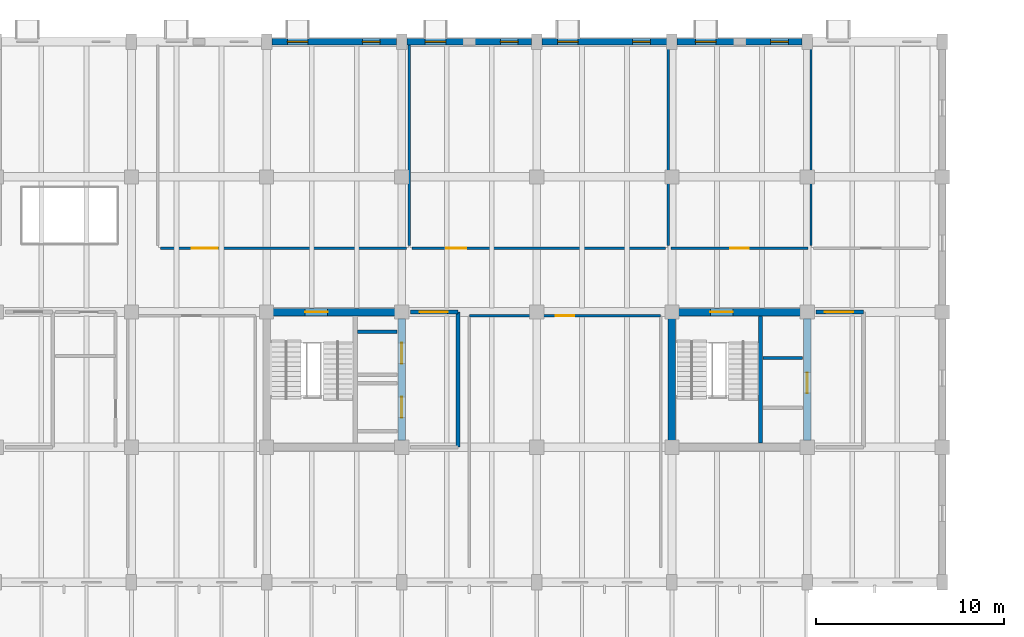
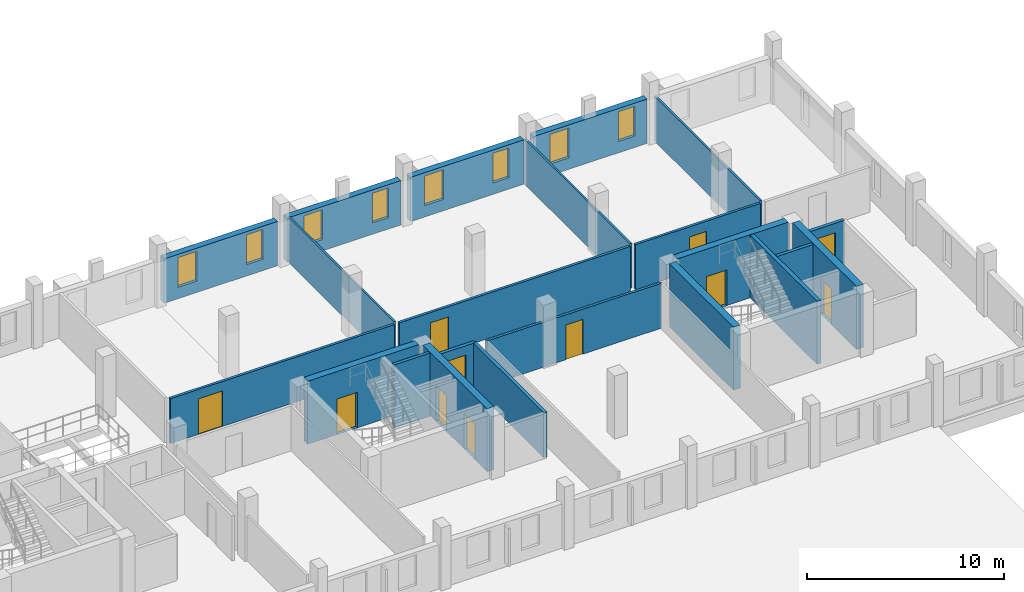
# One storey, part 28 of 32: 22 walls, 11 doors, 8 windows, 19 openings.
"""IFC4 building model written with IfcOpenShell, lengths in metres."""

import ifcopenshell
import ifcopenshell.guid

model = None  # the IFC model being written
_history = None  # IfcOwnerHistory: only IFC2X3 demands one
_inside = {}  # id of a spatial element -> (the spatial element, [elements in it])
_under = {}  # id of a project, library or spatial element -> (it, [spatial elements below it])
_declared = {}  # id of a project -> (the project, [libraries it declares])
_typed = {}  # id of a type object -> (the type object, [elements of that type])
_made_of = {}  # id of a material, layer set ... -> (it, [elements and type objects made of it])


def new_model(schema):
    """Start an empty IFC model of exactly this schema.

    Asked for "IFC4X3", IfcOpenShell would pick the latest addendum, in which some entities
    have other attributes; the version numbers below select the first issue.
    IFC2X3 requires an IfcOwnerHistory on every rooted entity: one is made here for all.
    """
    global model, _history
    if schema == "IFC4X3":
        model = ifcopenshell.file(schema_version=(4, 3, 0, 0))
    else:
        model = ifcopenshell.file(schema=schema)
    _inside.clear()
    _under.clear()
    _declared.clear()
    _typed.clear()
    _made_of.clear()
    _history = None
    if model.schema == "IFC2X3":
        org = make("IfcOrganization", Name="unknown")
        user = make(
            "IfcPersonAndOrganization",
            ThePerson=make("IfcPerson", FamilyName="unknown"),
            TheOrganization=org,
        )
        app = make(
            "IfcApplication",
            ApplicationDeveloper=org,
            Version="unknown",
            ApplicationFullName="unknown",
            ApplicationIdentifier="unknown",
        )
        _history = make(
            "IfcOwnerHistory",
            OwningUser=user,
            OwningApplication=app,
            ChangeAction="ADDED",
            CreationDate=0,
        )
    return model


def make(cls, **values):
    """One entity of the class cls with the attributes given. An attribute that is None is left unset."""
    return model.create_entity(
        cls, **{name: value for name, value in values.items() if value is not None}
    )


def rooted(cls, **values):
    """An entity with a GlobalId (a new one), such as an element, a storey or a relation."""
    return make(cls, GlobalId=ifcopenshell.guid.new(), OwnerHistory=_history, **values)


def si_unit(unit_type, name, prefix=None):
    """IfcSIUnit, for example si_unit("LENGTHUNIT", "METRE", prefix="MILLI")."""
    return make("IfcSIUnit", UnitType=unit_type, Prefix=prefix, Name=name)


def assignment(units):
    """IfcUnitAssignment: the units of a project."""
    return None if units is None else make("IfcUnitAssignment", Units=units)


def point(xyz):
    """IfcCartesianPoint."""
    return None if xyz is None else make("IfcCartesianPoint", Coordinates=xyz)


def direction(xyz):
    """IfcDirection."""
    return None if xyz is None else make("IfcDirection", DirectionRatios=xyz)


def frame(location, z_axis=None, x_axis=None):
    """IfcAxis2Placement3D, a coordinate frame: its origin and axes. An axis left out is left unset."""
    return make(
        "IfcAxis2Placement3D",
        Location=point(location),
        Axis=direction(z_axis),
        RefDirection=direction(x_axis),
    )


def frame_2d(location, x_axis=None):
    """IfcAxis2Placement2D, a coordinate frame in the plane: its origin and x axis."""
    return make(
        "IfcAxis2Placement2D", Location=point(location), RefDirection=direction(x_axis)
    )


def origin():
    """The frame at (0, 0, 0) with its axes left unset."""
    return frame((0.0, 0.0, 0.0))


def place(relative_to, where):
    """IfcLocalPlacement: puts the frame where relative to a parent placement (None: the world)."""
    return make(
        "IfcLocalPlacement", PlacementRelTo=relative_to, RelativePlacement=where
    )


def context(
    kind, dimensions, precision=None, world=None, true_north=None, identifier=None
):
    """IfcGeometricRepresentationContext, for example the 3D "Model" context."""
    return make(
        "IfcGeometricRepresentationContext",
        ContextIdentifier=identifier,
        ContextType=kind,
        CoordinateSpaceDimension=dimensions,
        Precision=precision,
        WorldCoordinateSystem=world,
        TrueNorth=true_north,
    )


def subcontext(parent, identifier, kind, view, scale=None):
    """IfcGeometricRepresentationSubContext, for example "Body" below "Model"."""
    return make(
        "IfcGeometricRepresentationSubContext",
        ContextIdentifier=identifier,
        ContextType=kind,
        ParentContext=parent,
        TargetScale=scale,
        TargetView=view,
    )


def project(units=None, contexts=None):
    """IfcProject with its units and contexts."""
    return rooted(
        "IfcProject",
        Name="project",
        RepresentationContexts=contexts,
        UnitsInContext=assignment(units),
    )


def spatial(cls, under=None, at=None, **own):
    """A site, building, storey or space (cls), placed at a placement, below another one or the project."""
    s = rooted(cls, ObjectPlacement=at, **own)
    if under is not None:
        _under.setdefault(under.id(), (under, []))[1].append(s)
    return s


def profile(cls, at=None, kind="AREA", **sizes):
    """A parametric profile (cls). Its sizes go by their IFC names, for example OverallWidth=200.0."""
    return make(cls, ProfileType=kind, Position=at, **sizes)


def rectangle(**sizes):
    """IfcRectangleProfileDef."""
    return profile("IfcRectangleProfileDef", **sizes)


def extrude(swept, where, along, depth):
    """IfcExtrudedAreaSolid: the profile swept, set in the frame where, extruded along a direction by depth."""
    return make(
        "IfcExtrudedAreaSolid",
        SweptArea=swept,
        Position=where,
        ExtrudedDirection=direction(along),
        Depth=depth,
    )


def shape(context_of_items, identifier, shape_type, items):
    """IfcShapeRepresentation: the items that make up one representation, for example the "Body"."""
    return make(
        "IfcShapeRepresentation",
        ContextOfItems=context_of_items,
        RepresentationIdentifier=identifier,
        RepresentationType=shape_type,
        Items=items,
    )


def material(Name=None, Category=None):
    """IfcMaterial."""
    return make("IfcMaterial", Name=Name, Category=Category)


def layer(
    of_material, thickness, ventilated=None, Name=None, Category=None, Priority=None
):
    """IfcMaterialLayer: one layer of a wall or slab, of a material (None: an air gap)."""
    return make(
        "IfcMaterialLayer",
        Material=of_material,
        LayerThickness=thickness,
        IsVentilated=ventilated,
        Name=Name,
        Category=Category,
        Priority=Priority,
    )


def layer_set(layers, Name=None):
    """IfcMaterialLayerSet."""
    return make("IfcMaterialLayerSet", MaterialLayers=layers, LayerSetName=Name)


def made_of(thing, what):
    """Note that an element or type object is made of a material, layer set ...; save() writes the relation."""
    if what is not None:
        _made_of.setdefault(what.id(), (what, []))[1].append(thing)
    return thing


def type_object(cls, material=None, **own):
    """A type object (cls), such as IfcWallType, which elements share."""
    return made_of(rooted(cls, **own), material)


def element(
    cls,
    number,
    at=None,
    inside=None,
    cuts=None,
    type_object=None,
    material=None,
    context=None,
    identifier="Body",
    shape_type=None,
    held_by="IfcProductDefinitionShape",
    body=None,
    shapes=None,
    **own,
):
    """One element of the class cls, such as IfcWall. Its Tag is "e" and its number.

    at: its placement. inside: the storey or other place that contains it. cuts: it is an
    opening in that element (IfcRelVoidsElement). A single representation is given by context,
    identifier, shape_type and body (its items); several are given by shapes. held_by: the class
    of the entity that holds the representations. save() writes the other relations.
    """
    e = rooted(cls, Tag="e%d" % number, ObjectPlacement=at, **own)
    if body is not None:
        shapes = [shape(context, identifier, shape_type, body)]
    if shapes is not None:
        e.Representation = make(held_by, Representations=shapes)
    if inside is not None:
        _inside.setdefault(inside.id(), (inside, []))[1].append(e)
    if cuts is not None:
        rooted(
            "IfcRelVoidsElement", RelatingBuildingElement=cuts, RelatedOpeningElement=e
        )
    if type_object is not None:
        _typed.setdefault(type_object.id(), (type_object, []))[1].append(e)
    return made_of(e, material)


def fill(opening, filler):
    """IfcRelFillsElement: the door or window that sits in an opening."""
    return rooted(
        "IfcRelFillsElement",
        RelatingOpeningElement=opening,
        RelatedBuildingElement=filler,
    )


def aggregate(whole, parts):
    """IfcRelAggregates: a whole, such as a stair, and the parts it consists of."""
    return rooted("IfcRelAggregates", RelatingObject=whole, RelatedObjects=parts)


def save(model, path):
    """Write the relations noted so far, then the file.

    IfcRelAggregates (storeys below a building ...), IfcRelContainedInSpatialStructure (elements
    in a storey), IfcRelDefinesByType, IfcRelAssociatesMaterial and IfcRelDeclares: one each for
    every whole, place, type object, material and project.
    """
    for whole, parts in _under.values():
        aggregate(whole, parts)
    for where, things in _inside.values():
        rooted(
            "IfcRelContainedInSpatialStructure",
            RelatedElements=things,
            RelatingStructure=where,
        )
    for kind, things in _typed.values():
        rooted("IfcRelDefinesByType", RelatedObjects=things, RelatingType=kind)
    for what, things in _made_of.values():
        rooted("IfcRelAssociatesMaterial", RelatedObjects=things, RelatingMaterial=what)
    for by, libraries in _declared.values():
        rooted("IfcRelDeclares", RelatingContext=by, RelatedDefinitions=libraries)
    model.write(path)


model = new_model("IFC4")

# Units and contexts
model_context = context("Model", 3, precision=1e-05, world=origin(), true_north=direction((0.0, 1.0)))
body_context = subcontext(model_context, "Body", "Model", "MODEL_VIEW")
ifc_project = project(units=[si_unit("LENGTHUNIT", "METRE"), si_unit("AREAUNIT", "SQUARE_METRE"), si_unit("VOLUMEUNIT", "CUBIC_METRE"), si_unit("PLANEANGLEUNIT", "RADIAN"), si_unit("MASSUNIT", "GRAM", prefix="KILO")], contexts=[model_context])

# Site, building, storey
site_placement = place(None, origin())
site = spatial("IfcSite", under=ifc_project, at=site_placement, CompositionType="ELEMENT")
building_placement = place(site_placement, origin())
building = spatial("IfcBuilding", under=site, at=building_placement, Name="Qiaolan Assembly House", CompositionType="ELEMENT")
storey_placement = place(building_placement, frame((0.0, 0.0, 18.60009765625)))
storey = spatial("IfcBuildingStorey", under=building, at=storey_placement, Name="L04", CompositionType="ELEMENT", Elevation=18.60009765625)

# Wall, openings, doors
ifc_material_1 = material(Name="Concrete C45/55", Category="concrete")
ifc_layer_1 = layer(ifc_material_1, 0.39990234375)
ifc_layer_set_1 = layer_set([ifc_layer_1], Name="Concrete C45/55")
wall_type_1 = type_object("IfcWallType", Name="WAL-CORE-400", PredefinedType="SHEAR", material=ifc_layer_set_1)
wall_1_placement = place(storey_placement, frame((72.0, 93.949951171875, 0.0), z_axis=(0.0, 0.0, 1.0), x_axis=(0.0, 1.0, 0.0)))
wall_1 = element("IfcWall", 1, at=wall_1_placement, inside=storey, type_object=wall_type_1, Name="CW-400 shear core wall CORE-B E L04", PredefinedType="SHEAR", context=body_context, shape_type="SweptSolid", body=[
    extrude(rectangle(XDim=6.5, YDim=0.39990234375, at=frame_2d((3.25, 0.0))), origin(), (0.0, 0.0, 1.0), 3.89990234375),
])
opening_1_placement = place(wall_1_placement, frame((1.22509765625, 0.0, 0.0)))
opening_1 = element("IfcOpeningElement", 2, at=opening_1_placement, cuts=wall_1, Name="Opening LD-024", PredefinedType="OPENING", context=body_context, shape_type="SweptSolid", body=[
    extrude(rectangle(XDim=1.10009765625, YDim=2.199951171875, at=frame_2d((0.550048828125, 1.10009765625))), frame((0.0, 0.2099609375, 0.0), z_axis=(0.0, -1.0, 0.0), x_axis=(1.0, 0.0, 0.0)), (0.0, 0.0, 1.0), 0.419921875),
])
opening_2_placement = place(wall_1_placement, frame((4.10009765625, 0.0, 0.0)))
opening_2 = element("IfcOpeningElement", 3, at=opening_2_placement, cuts=wall_1, Name="Opening LD-033", PredefinedType="OPENING", context=body_context, shape_type="SweptSolid", body=[
    extrude(rectangle(XDim=1.10009765625, YDim=2.199951171875, at=frame_2d((0.550048828125, 1.10009765625))), frame((0.0, 0.2099609375, 0.0), z_axis=(0.0, -1.0, 0.0), x_axis=(1.0, 0.0, 0.0)), (0.0, 0.0, 1.0), 0.419921875),
])
ifc_material_2 = material(Name="Anodised bronze aluminium", Category="aluminium")
door_type_1 = type_object("IfcDoorType", Name="DOR-LIFT-LD1100", OperationType="SLIDING_TO_LEFT", PredefinedType="DOOR", material=ifc_material_2)
door_1_placement = place(opening_1_placement, origin())
door_1 = element("IfcDoor", 4, at=door_1_placement, inside=storey, type_object=door_type_1, Name="Lift landing door LD-024 (LF-03 L04)", OperationType="SLIDING_TO_LEFT", OverallHeight=2.199951171875, OverallWidth=1.10009765625, PredefinedType="DOOR", context=body_context, shape_type="SweptSolid", body=[
    extrude(rectangle(XDim=1.10009765625, YDim=2.199951171875, at=frame_2d((0.550048828125, 1.10009765625))), frame((0.0, 0.02490234375, 0.0), z_axis=(0.0, -1.0, 0.0), x_axis=(1.0, 0.0, 0.0)), (0.0, 0.0, 1.0), 0.050048828125),
])
fill(opening_1, door_1)
door_2_placement = place(opening_2_placement, origin())
door_2 = element("IfcDoor", 5, at=door_2_placement, inside=storey, type_object=door_type_1, Name="Lift landing door LD-033 (LF-04 L04)", OperationType="SLIDING_TO_LEFT", OverallHeight=2.199951171875, OverallWidth=1.10009765625, PredefinedType="DOOR", context=body_context, shape_type="SweptSolid", body=[
    extrude(rectangle(XDim=1.10009765625, YDim=2.199951171875, at=frame_2d((0.550048828125, 1.10009765625))), frame((0.0, 0.02490234375, 0.0), z_axis=(0.0, -1.0, 0.0), x_axis=(1.0, 0.0, 0.0)), (0.0, 0.0, 1.0), 0.050048828125),
])
fill(opening_2, door_2)

# Wall, opening, door
wall_2_placement = place(storey_placement, frame((71.64990234375, 100.800048828125, 0.0), z_axis=(0.0, 0.0, 1.0), x_axis=(-1.0, 0.0, 0.0)))
wall_2 = element("IfcWall", 6, at=wall_2_placement, inside=storey, type_object=wall_type_1, Name="CW-400 shear core wall CORE-B N L04", PredefinedType="SHEAR", context=body_context, shape_type="SweptSolid", body=[
    extrude(rectangle(XDim=6.5, YDim=0.39990234375, at=frame_2d((3.25, 0.0))), origin(), (0.0, 0.0, 1.0), 3.89990234375),
])
opening_3_placement = place(wall_2_placement, frame((3.60009765625, 0.0, 0.0)))
opening_3 = element("IfcOpeningElement", 7, at=opening_3_placement, cuts=wall_2, Name="Opening FD-045", PredefinedType="OPENING", context=body_context, shape_type="SweptSolid", body=[
    extrude(rectangle(XDim=1.199951171875, YDim=2.199951171875, at=frame_2d((0.60009765625, 1.10009765625))), frame((0.0, 0.2099609375, 0.0), z_axis=(0.0, -1.0, 0.0), x_axis=(1.0, 0.0, 0.0)), (0.0, 0.0, 1.0), 0.419921875),
])
ifc_material_3 = material(Name="Steel Q355B", Category="steel")
door_type_2 = type_object("IfcDoorType", Name="DOR-FIRE-FD90-1200", OperationType="NOTDEFINED", PredefinedType="DOOR", material=ifc_material_3)
door_3_placement = place(opening_3_placement, frame((1.199951171875, 0.0, 0.0), z_axis=(0.0, 0.0, 1.0), x_axis=(-1.0, 0.0, 0.0)))
door_3 = element("IfcDoor", 8, at=door_3_placement, inside=storey, type_object=door_type_2, Name="Stairwell fire door FD-045 (CORE-B L04)", OperationType="SINGLE_SWING_RIGHT", OverallHeight=2.199951171875, OverallWidth=1.199951171875, PredefinedType="DOOR", context=body_context, shape_type="SweptSolid", body=[
    extrude(rectangle(XDim=1.199951171875, YDim=2.199951171875, at=frame_2d((0.60009765625, 1.10009765625))), frame((0.0, 0.02490234375, 0.0), z_axis=(0.0, -1.0, 0.0), x_axis=(1.0, 0.0, 0.0)), (0.0, 0.0, 1.0), 0.050048828125),
])
fill(opening_3, door_3)

wall_3_placement = place(storey_placement, frame((93.60009765625, 93.949951171875, 0.0), z_axis=(0.0, 0.0, 1.0), x_axis=(0.0, 1.0, 0.0)))
wall_3 = element("IfcWall", 9, at=wall_3_placement, inside=storey, type_object=wall_type_1, Name="CW-400 shear core wall CORE-G E L04", PredefinedType="SHEAR", context=body_context, shape_type="SweptSolid", body=[
    extrude(rectangle(XDim=6.5, YDim=0.39990234375, at=frame_2d((3.25, 0.0))), origin(), (0.0, 0.0, 1.0), 3.89990234375),
])
opening_4_placement = place(wall_3_placement, frame((2.52490234375, 0.0, 0.0)))
opening_4 = element("IfcOpeningElement", 10, at=opening_4_placement, cuts=wall_3, Name="Opening LD-042", PredefinedType="OPENING", context=body_context, shape_type="SweptSolid", body=[
    extrude(rectangle(XDim=1.10009765625, YDim=2.199951171875, at=frame_2d((0.550048828125, 1.10009765625))), frame((0.0, 0.2099609375, 0.0), z_axis=(0.0, -1.0, 0.0), x_axis=(1.0, 0.0, 0.0)), (0.0, 0.0, 1.0), 0.419921875),
])
door_4_placement = place(opening_4_placement, origin())
door_4 = element("IfcDoor", 11, at=door_4_placement, inside=storey, type_object=door_type_1, Name="Lift landing door LD-042 (LF-05 L04)", OperationType="SLIDING_TO_LEFT", OverallHeight=2.199951171875, OverallWidth=1.10009765625, PredefinedType="DOOR", context=body_context, shape_type="SweptSolid", body=[
    extrude(rectangle(XDim=1.10009765625, YDim=2.199951171875, at=frame_2d((0.550048828125, 1.10009765625))), frame((0.0, 0.02490234375, 0.0), z_axis=(0.0, -1.0, 0.0), x_axis=(1.0, 0.0, 0.0)), (0.0, 0.0, 1.0), 0.050048828125),
])
fill(opening_4, door_4)

wall_4_placement = place(storey_placement, frame((93.25, 100.800048828125, 0.0), z_axis=(0.0, 0.0, 1.0), x_axis=(-1.0, 0.0, 0.0)))
wall_4 = element("IfcWall", 12, at=wall_4_placement, inside=storey, type_object=wall_type_1, Name="CW-400 shear core wall CORE-G N L04", PredefinedType="SHEAR", context=body_context, shape_type="SweptSolid", body=[
    extrude(rectangle(XDim=6.5, YDim=0.39990234375, at=frame_2d((3.25, 0.0))), origin(), (0.0, 0.0, 1.0), 3.89990234375),
])
opening_5_placement = place(wall_4_placement, frame((3.60009765625, 0.0, 0.0)))
opening_5 = element("IfcOpeningElement", 13, at=opening_5_placement, cuts=wall_4, Name="Opening FD-063", PredefinedType="OPENING", context=body_context, shape_type="SweptSolid", body=[
    extrude(rectangle(XDim=1.199951171875, YDim=2.199951171875, at=frame_2d((0.60009765625, 1.10009765625))), frame((0.0, 0.2099609375, 0.0), z_axis=(0.0, -1.0, 0.0), x_axis=(1.0, 0.0, 0.0)), (0.0, 0.0, 1.0), 0.419921875),
])
door_5_placement = place(opening_5_placement, frame((1.199951171875, 0.0, 0.0), z_axis=(0.0, 0.0, 1.0), x_axis=(-1.0, 0.0, 0.0)))
door_5 = element("IfcDoor", 14, at=door_5_placement, inside=storey, type_object=door_type_2, Name="Stairwell fire door FD-063 (CORE-G L04)", OperationType="SINGLE_SWING_LEFT", OverallHeight=2.199951171875, OverallWidth=1.199951171875, PredefinedType="DOOR", context=body_context, shape_type="SweptSolid", body=[
    extrude(rectangle(XDim=1.199951171875, YDim=2.199951171875, at=frame_2d((0.60009765625, 1.10009765625))), frame((0.0, 0.02490234375, 0.0), z_axis=(0.0, -1.0, 0.0), x_axis=(1.0, 0.0, 0.0)), (0.0, 0.0, 1.0), 0.050048828125),
])
fill(opening_5, door_5)

# Wall
wall_5_placement = place(storey_placement, frame((86.39990234375, 100.449951171875, 0.0), z_axis=(0.0, 0.0, 1.0), x_axis=(0.0, -1.0, 0.0)))
element("IfcWall", 15, at=wall_5_placement, inside=storey, type_object=wall_type_1, Name="CW-400 shear core wall CORE-G W L04", PredefinedType="SHEAR", context=body_context, shape_type="SweptSolid", body=[
    extrude(rectangle(XDim=6.5, YDim=0.39990234375, at=frame_2d((3.25, 0.0))), origin(), (0.0, 0.0, 1.0), 3.89990234375),
])

# Wall, openings, windows
ifc_material_4 = material(Name="Honed pale limestone", Category="masonry")
ifc_layer_2 = layer(ifc_material_4, 0.360107421875)
ifc_layer_set_2 = layer_set([ifc_layer_2], Name="Honed pale limestone")
wall_type_2 = type_object("IfcWallType", Name="WAL-EXT-LIMESTONE-360", PredefinedType="SOLIDWALL", material=ifc_layer_set_2)
wall_6_placement = place(storey_placement, frame((71.721923828125, 115.199951171875, 0.0), z_axis=(0.0, 0.0, 1.0), x_axis=(-1.0, 0.0, 0.0)))
wall_6 = element("IfcWall", 16, at=wall_6_placement, inside=storey, type_object=wall_type_2, Name="EW-360 NW North street wall L04 bay 5", PredefinedType="SOLIDWALL", context=body_context, shape_type="SweptSolid", body=[
    extrude(rectangle(XDim=6.64404296875, YDim=0.360107421875, at=frame_2d((3.322021484375, 0.0))), origin(), (0.0, 0.0, 1.0), 2.739990234375),
])
opening_6_placement = place(wall_6_placement, frame((0.8720703125, 0.0, 0.699951171875)))
opening_6 = element("IfcOpeningElement", 17, at=opening_6_placement, cuts=wall_6, Name="Opening WN-120", PredefinedType="OPENING", context=body_context, shape_type="SweptSolid", body=[
    extrude(rectangle(XDim=0.949951171875, YDim=1.840087890625, at=frame_2d((0.47509765625, 0.919921875))), frame((0.0, 0.18994140625, 0.0), z_axis=(0.0, -1.0, 0.0), x_axis=(1.0, 0.0, 0.0)), (0.0, 0.0, 1.0), 0.380126953125),
])
opening_7_placement = place(wall_6_placement, frame((4.721923828125, 0.0, 0.699951171875)))
opening_7 = element("IfcOpeningElement", 18, at=opening_7_placement, cuts=wall_6, Name="Opening WN-121", PredefinedType="OPENING", context=body_context, shape_type="SweptSolid", body=[
    extrude(rectangle(XDim=1.10009765625, YDim=1.840087890625, at=frame_2d((0.550048828125, 0.919921875))), frame((0.0, 0.18994140625, 0.0), z_axis=(0.0, -1.0, 0.0), x_axis=(1.0, 0.0, 0.0)), (0.0, 0.0, 1.0), 0.380126953125),
])
ifc_material_5 = material(Name="Low-E double insulating glass", Category="glass")
window_type_1 = type_object("IfcWindowType", Name="WIN-BOX-1100x2350", PartitioningType="SINGLE_PANEL", PredefinedType="WINDOW", material=ifc_material_5)
window_1_placement = place(opening_7_placement, origin())
window_1 = element("IfcWindow", 19, at=window_1_placement, inside=storey, type_object=window_type_1, Name="WN-T11 window WN-121", OverallHeight=1.840087890625, OverallWidth=1.10009765625, PartitioningType="SINGLE_PANEL", PredefinedType="WINDOW", context=body_context, shape_type="SweptSolid", body=[
    extrude(rectangle(XDim=1.10009765625, YDim=1.840087890625, at=frame_2d((0.550048828125, 0.919921875))), frame((0.0, 0.030029296875, 0.0), z_axis=(0.0, -1.0, 0.0), x_axis=(1.0, 0.0, 0.0)), (0.0, 0.0, 1.0), 0.06005859375),
])
fill(opening_7, window_1)
window_type_2 = type_object("IfcWindowType", Name="WIN-PUNCH-950x2400", PartitioningType="SINGLE_PANEL", PredefinedType="WINDOW", material=ifc_material_5)
window_2_placement = place(opening_6_placement, origin())
window_2 = element("IfcWindow", 20, at=window_2_placement, inside=storey, type_object=window_type_2, Name="WN-T06 window WN-120", OverallHeight=1.840087890625, OverallWidth=0.949951171875, PartitioningType="SINGLE_PANEL", PredefinedType="WINDOW", context=body_context, shape_type="SweptSolid", body=[
    extrude(rectangle(XDim=0.949951171875, YDim=1.840087890625, at=frame_2d((0.47509765625, 0.919921875))), frame((0.0, 0.030029296875, 0.0), z_axis=(0.0, -1.0, 0.0), x_axis=(1.0, 0.0, 0.0)), (0.0, 0.0, 1.0), 0.06005859375),
])
fill(opening_6, window_2)

wall_7_placement = place(storey_placement, frame((78.922119140625, 115.199951171875, 0.0), z_axis=(0.0, 0.0, 1.0), x_axis=(-1.0, 0.0, 0.0)))
wall_7 = element("IfcWall", 21, at=wall_7_placement, inside=storey, type_object=wall_type_2, Name="EW-360 NW North street wall L04 bay 6", PredefinedType="SOLIDWALL", context=body_context, shape_type="SweptSolid", body=[
    extrude(rectangle(XDim=6.64404296875, YDim=0.360107421875, at=frame_2d((3.322021484375, 0.0))), origin(), (0.0, 0.0, 1.0), 2.739990234375),
])
opening_8_placement = place(wall_7_placement, frame((0.721923828125, 0.0, 0.699951171875)))
opening_8 = element("IfcOpeningElement", 22, at=opening_8_placement, cuts=wall_7, Name="Opening WN-122", PredefinedType="OPENING", context=body_context, shape_type="SweptSolid", body=[
    extrude(rectangle(XDim=0.949951171875, YDim=1.840087890625, at=frame_2d((0.47509765625, 0.919921875))), frame((0.0, 0.18994140625, 0.0), z_axis=(0.0, -1.0, 0.0), x_axis=(1.0, 0.0, 0.0)), (0.0, 0.0, 1.0), 0.380126953125),
])
opening_9_placement = place(wall_7_placement, frame((4.572021484375, 0.0, 0.699951171875)))
opening_9 = element("IfcOpeningElement", 23, at=opening_9_placement, cuts=wall_7, Name="Opening WN-123", PredefinedType="OPENING", context=body_context, shape_type="SweptSolid", body=[
    extrude(rectangle(XDim=1.10009765625, YDim=1.840087890625, at=frame_2d((0.550048828125, 0.919921875))), frame((0.0, 0.18994140625, 0.0), z_axis=(0.0, -1.0, 0.0), x_axis=(1.0, 0.0, 0.0)), (0.0, 0.0, 1.0), 0.380126953125),
])
window_3_placement = place(opening_9_placement, origin())
window_3 = element("IfcWindow", 24, at=window_3_placement, inside=storey, type_object=window_type_1, Name="WN-T11 window WN-123", OverallHeight=1.840087890625, OverallWidth=1.10009765625, PartitioningType="SINGLE_PANEL", PredefinedType="WINDOW", context=body_context, shape_type="SweptSolid", body=[
    extrude(rectangle(XDim=1.10009765625, YDim=1.840087890625, at=frame_2d((0.550048828125, 0.919921875))), frame((0.0, 0.030029296875, 0.0), z_axis=(0.0, -1.0, 0.0), x_axis=(1.0, 0.0, 0.0)), (0.0, 0.0, 1.0), 0.06005859375),
])
fill(opening_9, window_3)
window_4_placement = place(opening_8_placement, origin())
window_4 = element("IfcWindow", 25, at=window_4_placement, inside=storey, type_object=window_type_2, Name="WN-T06 window WN-122", OverallHeight=1.840087890625, OverallWidth=0.949951171875, PartitioningType="SINGLE_PANEL", PredefinedType="WINDOW", context=body_context, shape_type="SweptSolid", body=[
    extrude(rectangle(XDim=0.949951171875, YDim=1.840087890625, at=frame_2d((0.47509765625, 0.919921875))), frame((0.0, 0.030029296875, 0.0), z_axis=(0.0, -1.0, 0.0), x_axis=(1.0, 0.0, 0.0)), (0.0, 0.0, 1.0), 0.06005859375),
])
fill(opening_8, window_4)

wall_8_placement = place(storey_placement, frame((86.1220703125, 115.199951171875, 0.0), z_axis=(0.0, 0.0, 1.0), x_axis=(-1.0, 0.0, 0.0)))
wall_8 = element("IfcWall", 26, at=wall_8_placement, inside=storey, type_object=wall_type_2, Name="EW-360 NW North street wall L04 bay 7", PredefinedType="SOLIDWALL", context=body_context, shape_type="SweptSolid", body=[
    extrude(rectangle(XDim=6.64404296875, YDim=0.360107421875, at=frame_2d((3.322021484375, 0.0))), origin(), (0.0, 0.0, 1.0), 2.739990234375),
])
opening_10_placement = place(wall_8_placement, frame((0.8720703125, 0.0, 0.699951171875)))
opening_10 = element("IfcOpeningElement", 27, at=opening_10_placement, cuts=wall_8, Name="Opening WN-124", PredefinedType="OPENING", context=body_context, shape_type="SweptSolid", body=[
    extrude(rectangle(XDim=0.949951171875, YDim=1.840087890625, at=frame_2d((0.47509765625, 0.919921875))), frame((0.0, 0.18994140625, 0.0), z_axis=(0.0, -1.0, 0.0), x_axis=(1.0, 0.0, 0.0)), (0.0, 0.0, 1.0), 0.380126953125),
])
opening_11_placement = place(wall_8_placement, frame((4.721923828125, 0.0, 0.699951171875)))
opening_11 = element("IfcOpeningElement", 28, at=opening_11_placement, cuts=wall_8, Name="Opening WN-125", PredefinedType="OPENING", context=body_context, shape_type="SweptSolid", body=[
    extrude(rectangle(XDim=1.10009765625, YDim=1.840087890625, at=frame_2d((0.550048828125, 0.919921875))), frame((0.0, 0.18994140625, 0.0), z_axis=(0.0, -1.0, 0.0), x_axis=(1.0, 0.0, 0.0)), (0.0, 0.0, 1.0), 0.380126953125),
])
window_5_placement = place(opening_11_placement, origin())
window_5 = element("IfcWindow", 29, at=window_5_placement, inside=storey, type_object=window_type_1, Name="WN-T11 window WN-125", OverallHeight=1.840087890625, OverallWidth=1.10009765625, PartitioningType="SINGLE_PANEL", PredefinedType="WINDOW", context=body_context, shape_type="SweptSolid", body=[
    extrude(rectangle(XDim=1.10009765625, YDim=1.840087890625, at=frame_2d((0.550048828125, 0.919921875))), frame((0.0, 0.030029296875, 0.0), z_axis=(0.0, -1.0, 0.0), x_axis=(1.0, 0.0, 0.0)), (0.0, 0.0, 1.0), 0.06005859375),
])
fill(opening_11, window_5)
window_6_placement = place(opening_10_placement, origin())
window_6 = element("IfcWindow", 30, at=window_6_placement, inside=storey, type_object=window_type_2, Name="WN-T06 window WN-124", OverallHeight=1.840087890625, OverallWidth=0.949951171875, PartitioningType="SINGLE_PANEL", PredefinedType="WINDOW", context=body_context, shape_type="SweptSolid", body=[
    extrude(rectangle(XDim=0.949951171875, YDim=1.840087890625, at=frame_2d((0.47509765625, 0.919921875))), frame((0.0, 0.030029296875, 0.0), z_axis=(0.0, -1.0, 0.0), x_axis=(1.0, 0.0, 0.0)), (0.0, 0.0, 1.0), 0.06005859375),
])
fill(opening_10, window_6)

wall_9_placement = place(storey_placement, frame((93.322021484375, 115.199951171875, 0.0), z_axis=(0.0, 0.0, 1.0), x_axis=(-1.0, 0.0, 0.0)))
wall_9 = element("IfcWall", 31, at=wall_9_placement, inside=storey, type_object=wall_type_2, Name="EW-360 NW North street wall L04 bay 8", PredefinedType="SOLIDWALL", context=body_context, shape_type="SweptSolid", body=[
    extrude(rectangle(XDim=6.64404296875, YDim=0.360107421875, at=frame_2d((3.322021484375, 0.0))), origin(), (0.0, 0.0, 1.0), 2.739990234375),
])
opening_12_placement = place(wall_9_placement, frame((0.721923828125, 0.0, 0.699951171875)))
opening_12 = element("IfcOpeningElement", 32, at=opening_12_placement, cuts=wall_9, Name="Opening WN-126", PredefinedType="OPENING", context=body_context, shape_type="SweptSolid", body=[
    extrude(rectangle(XDim=0.949951171875, YDim=1.840087890625, at=frame_2d((0.47509765625, 0.919921875))), frame((0.0, 0.18994140625, 0.0), z_axis=(0.0, -1.0, 0.0), x_axis=(1.0, 0.0, 0.0)), (0.0, 0.0, 1.0), 0.380126953125),
])
opening_13_placement = place(wall_9_placement, frame((4.572021484375, 0.0, 0.699951171875)))
opening_13 = element("IfcOpeningElement", 33, at=opening_13_placement, cuts=wall_9, Name="Opening WN-127", PredefinedType="OPENING", context=body_context, shape_type="SweptSolid", body=[
    extrude(rectangle(XDim=1.10009765625, YDim=1.840087890625, at=frame_2d((0.550048828125, 0.919921875))), frame((0.0, 0.18994140625, 0.0), z_axis=(0.0, -1.0, 0.0), x_axis=(1.0, 0.0, 0.0)), (0.0, 0.0, 1.0), 0.380126953125),
])
window_7_placement = place(opening_13_placement, origin())
window_7 = element("IfcWindow", 34, at=window_7_placement, inside=storey, type_object=window_type_1, Name="WN-T11 window WN-127", OverallHeight=1.840087890625, OverallWidth=1.10009765625, PartitioningType="SINGLE_PANEL", PredefinedType="WINDOW", context=body_context, shape_type="SweptSolid", body=[
    extrude(rectangle(XDim=1.10009765625, YDim=1.840087890625, at=frame_2d((0.550048828125, 0.919921875))), frame((0.0, 0.030029296875, 0.0), z_axis=(0.0, -1.0, 0.0), x_axis=(1.0, 0.0, 0.0)), (0.0, 0.0, 1.0), 0.06005859375),
])
fill(opening_13, window_7)
window_8_placement = place(opening_12_placement, origin())
window_8 = element("IfcWindow", 35, at=window_8_placement, inside=storey, type_object=window_type_2, Name="WN-T06 window WN-126", OverallHeight=1.840087890625, OverallWidth=0.949951171875, PartitioningType="SINGLE_PANEL", PredefinedType="WINDOW", context=body_context, shape_type="SweptSolid", body=[
    extrude(rectangle(XDim=0.949951171875, YDim=1.840087890625, at=frame_2d((0.47509765625, 0.919921875))), frame((0.0, 0.030029296875, 0.0), z_axis=(0.0, -1.0, 0.0), x_axis=(1.0, 0.0, 0.0)), (0.0, 0.0, 1.0), 0.06005859375),
])
fill(opening_12, window_8)

# Wall
ifc_material_6 = material(Name="Concrete C35/45", Category="concrete")
ifc_layer_3 = layer(ifc_material_6, 0.199951171875)
ifc_layer_set_3 = layer_set([ifc_layer_3], Name="Concrete C35/45")
wall_type_3 = type_object("IfcWallType", Name="WAL-LOBBY-200", PredefinedType="PARTITIONING", material=ifc_layer_set_3)
wall_10_placement = place(storey_placement, frame((75.0, 93.60009765625, 0.0), z_axis=(0.0, 0.0, 1.0), x_axis=(0.0, 1.0, 0.0)))
element("IfcWall", 36, at=wall_10_placement, inside=storey, type_object=wall_type_3, Name="Firefighting lift lobby east wall CORE-B L04", PredefinedType="PARTITIONING", context=body_context, shape_type="SweptSolid", body=[
    extrude(rectangle(XDim=7.199951171875, YDim=0.199951171875, at=frame_2d((3.60009765625, 0.0))), origin(), (0.0, 0.0, 1.0), 2.77978515625),
])

# Wall, opening, door
wall_11_placement = place(storey_placement, frame((75.0, 100.800048828125, 0.0), z_axis=(0.0, 0.0, 1.0), x_axis=(-1.0, 0.0, 0.0)))
wall_11 = element("IfcWall", 37, at=wall_11_placement, inside=storey, type_object=wall_type_3, Name="Firefighting lift lobby north wall CORE-B L04", PredefinedType="PARTITIONING", context=body_context, shape_type="SweptSolid", body=[
    extrude(rectangle(XDim=2.52001953125, YDim=0.199951171875, at=frame_2d((1.260009765625, 0.0))), origin(), (0.0, 0.0, 1.0), 2.77978515625),
])
opening_14_placement = place(wall_11_placement, frame((0.550048828125, 0.0, 0.0)))
opening_14 = element("IfcOpeningElement", 38, at=opening_14_placement, cuts=wall_11, Name="Opening FD-046", PredefinedType="OPENING", context=body_context, shape_type="SweptSolid", body=[
    extrude(rectangle(XDim=1.5, YDim=2.199951171875, at=frame_2d((0.75, 1.10009765625))), frame((0.0, 0.10986328125, 0.0), z_axis=(0.0, -1.0, 0.0), x_axis=(1.0, 0.0, 0.0)), (0.0, 0.0, 1.0), 0.219970703125),
])
ifc_material_7 = material(Name="Acoustic oak panelling")
door_type_3 = type_object("IfcDoorType", Name="DOR-LOBBY-FD60-1500", OperationType="DOUBLE_DOOR_SINGLE_SWING", PredefinedType="DOOR", material=ifc_material_7)
door_6_placement = place(opening_14_placement, frame((1.5, 0.0, 0.0), z_axis=(0.0, 0.0, 1.0), x_axis=(-1.0, 0.0, 0.0)))
door_6 = element("IfcDoor", 39, at=door_6_placement, inside=storey, type_object=door_type_3, Name="Lobby corridor fire door FD-046", OperationType="DOUBLE_DOOR_SINGLE_SWING", OverallHeight=2.199951171875, OverallWidth=1.5, PredefinedType="DOOR", context=body_context, shape_type="SweptSolid", body=[
    extrude(rectangle(XDim=1.5, YDim=2.199951171875, at=frame_2d((0.75, 1.10009765625))), frame((0.0, 0.02490234375, 0.0), z_axis=(0.0, -1.0, 0.0), x_axis=(1.0, 0.0, 0.0)), (0.0, 0.0, 1.0), 0.050048828125),
])
fill(opening_14, door_6)

wall_12_placement = place(storey_placement, frame((96.60009765625, 100.800048828125, 0.0), z_axis=(0.0, 0.0, 1.0), x_axis=(-1.0, 0.0, 0.0)))
wall_12 = element("IfcWall", 40, at=wall_12_placement, inside=storey, type_object=wall_type_3, Name="Firefighting lift lobby north wall CORE-G L04", PredefinedType="PARTITIONING", context=body_context, shape_type="SweptSolid", body=[
    extrude(rectangle(XDim=2.52001953125, YDim=0.199951171875, at=frame_2d((1.260009765625, 0.0))), origin(), (0.0, 0.0, 1.0), 2.77978515625),
])
opening_15_placement = place(wall_12_placement, frame((0.550048828125, 0.0, 0.0)))
opening_15 = element("IfcOpeningElement", 41, at=opening_15_placement, cuts=wall_12, Name="Opening FD-064", PredefinedType="OPENING", context=body_context, shape_type="SweptSolid", body=[
    extrude(rectangle(XDim=1.5, YDim=2.199951171875, at=frame_2d((0.75, 1.10009765625))), frame((0.0, 0.10986328125, 0.0), z_axis=(0.0, -1.0, 0.0), x_axis=(1.0, 0.0, 0.0)), (0.0, 0.0, 1.0), 0.219970703125),
])
door_7_placement = place(opening_15_placement, frame((1.5, 0.0, 0.0), z_axis=(0.0, 0.0, 1.0), x_axis=(-1.0, 0.0, 0.0)))
door_7 = element("IfcDoor", 42, at=door_7_placement, inside=storey, type_object=door_type_3, Name="Lobby corridor fire door FD-064", OperationType="DOUBLE_DOOR_SINGLE_SWING", OverallHeight=2.199951171875, OverallWidth=1.5, PredefinedType="DOOR", context=body_context, shape_type="SweptSolid", body=[
    extrude(rectangle(XDim=1.5, YDim=2.199951171875, at=frame_2d((0.75, 1.10009765625))), frame((0.0, 0.02490234375, 0.0), z_axis=(0.0, -1.0, 0.0), x_axis=(1.0, 0.0, 0.0)), (0.0, 0.0, 1.0), 0.050048828125),
])
fill(opening_15, door_7)

# Walls
ifc_material_8 = material(Name="Gypsum plasterboard partition")
ifc_layer_4 = layer(ifc_material_8, 0.1201171875)
ifc_layer_set_4 = layer_set([ifc_layer_4], Name="Gypsum plasterboard partition")
wall_type_4 = type_object("IfcWallType", Name="WAL-PART-120", PredefinedType="PARTITIONING", material=ifc_layer_set_4)
for number, where, z_axis, x_axis, name in (
    (43, (72.39990234375, 104.35009765625, 0.0), (0.0, 0.0, 1.0), (0.0, 1.0, 0.0), "Legal Counsel & Regulatory Review Chambers demising wall"),
    (44, (86.199951171875, 104.35009765625, 0.0), (0.0, 0.0, 1.0), (0.0, 1.0, 0.0), "Encrypted IT & Municipal Server Room demising wall"),
    (45, (93.800048828125, 104.35009765625, 0.0), (0.0, 0.0, 1.0), (0.0, 1.0, 0.0), "Document Registry & Seal Custody Room demising wall"),
):
    element("IfcWall", number, at=place(storey_placement, frame(where, z_axis=z_axis, x_axis=x_axis)), inside=storey, type_object=wall_type_4, Name=name, PredefinedType="PARTITIONING", context=body_context, shape_type="SweptSolid", body=[
        extrude(rectangle(XDim=10.669921875, YDim=0.1201171875, at=frame_2d((5.3349609375, 0.0))), origin(), (0.0, 0.0, 1.0), 2.77978515625),
    ])

# Wall, opening, door
ifc_layer_5 = layer(ifc_material_8, 0.14990234375)
ifc_layer_set_5 = layer_set([ifc_layer_5], Name="Gypsum plasterboard partition")
wall_type_5 = type_object("IfcWallType", Name="WAL-PART-150", PredefinedType="PARTITIONING", material=ifc_layer_set_5)
wall_13_placement = place(storey_placement, frame((59.14990234375, 104.199951171875, 0.0), z_axis=(0.0, 0.0, 1.0), x_axis=(1.0, 0.0, 0.0)))
wall_13 = element("IfcWall", 46, at=wall_13_placement, inside=storey, type_object=wall_type_5, Name="Budget Hearing & Procurement Boardroom corridor wall", PredefinedType="PARTITIONING", context=body_context, shape_type="SweptSolid", body=[
    extrude(rectangle(XDim=13.10009765625, YDim=0.14990234375, at=frame_2d((6.550048828125, 0.0))), origin(), (0.0, 0.0, 1.0), 2.77978515625),
])
opening_16_placement = place(wall_13_placement, frame((1.64990234375, 0.0, 0.0)))
opening_16 = element("IfcOpeningElement", 47, at=opening_16_placement, cuts=wall_13, Name="Opening ND-208", PredefinedType="OPENING", context=body_context, shape_type="SweptSolid", body=[
    extrude(rectangle(XDim=1.39990234375, YDim=2.199951171875, at=frame_2d((0.699951171875, 1.10009765625))), frame((0.0, 0.0849609375, 0.0), z_axis=(0.0, -1.0, 0.0), x_axis=(1.0, 0.0, 0.0)), (0.0, 0.0, 1.0), 0.169921875),
])
door_type_4 = type_object("IfcDoorType", Name="DOR-ARCH-DBL-1400", OperationType="DOUBLE_DOOR_SINGLE_SWING", PredefinedType="DOOR", material=ifc_material_7)
door_8_placement = place(opening_16_placement, origin())
door_8 = element("IfcDoor", 48, at=door_8_placement, inside=storey, type_object=door_type_4, Name="Budget Hearing & Procurement Boardroom door ND-208", OperationType="DOUBLE_DOOR_SINGLE_SWING", OverallHeight=2.199951171875, OverallWidth=1.39990234375, PredefinedType="DOOR", context=body_context, shape_type="SweptSolid", body=[
    extrude(rectangle(XDim=1.39990234375, YDim=2.199951171875, at=frame_2d((0.699951171875, 1.10009765625))), frame((0.0, 0.02490234375, 0.0), z_axis=(0.0, -1.0, 0.0), x_axis=(1.0, 0.0, 0.0)), (0.0, 0.0, 1.0), 0.050048828125),
])
fill(opening_16, door_8)

wall_14_placement = place(storey_placement, frame((72.550048828125, 104.199951171875, 0.0), z_axis=(0.0, 0.0, 1.0), x_axis=(1.0, 0.0, 0.0)))
wall_14 = element("IfcWall", 49, at=wall_14_placement, inside=storey, type_object=wall_type_5, Name="Legal Counsel & Regulatory Review Chambers corridor wall", PredefinedType="PARTITIONING", context=body_context, shape_type="SweptSolid", body=[
    extrude(rectangle(XDim=13.5, YDim=0.14990234375, at=frame_2d((6.75, 0.0))), origin(), (0.0, 0.0, 1.0), 2.77978515625),
])
opening_17_placement = place(wall_14_placement, frame((1.824951171875, 0.0, 0.0)))
opening_17 = element("IfcOpeningElement", 50, at=opening_17_placement, cuts=wall_14, Name="Opening ND-209", PredefinedType="OPENING", context=body_context, shape_type="SweptSolid", body=[
    extrude(rectangle(XDim=1.050048828125, YDim=2.14990234375, at=frame_2d((0.52490234375, 1.074951171875))), frame((0.0, 0.0849609375, 0.0), z_axis=(0.0, -1.0, 0.0), x_axis=(1.0, 0.0, 0.0)), (0.0, 0.0, 1.0), 0.169921875),
])
door_type_5 = type_object("IfcDoorType", Name="DOR-OFF-LRG-1050", OperationType="NOTDEFINED", PredefinedType="DOOR", material=ifc_material_7)
door_9_placement = place(opening_17_placement, origin())
door_9 = element("IfcDoor", 51, at=door_9_placement, inside=storey, type_object=door_type_5, Name="Legal Counsel & Regulatory Review Chambers door ND-209", OperationType="SINGLE_SWING_LEFT", OverallHeight=2.14990234375, OverallWidth=1.050048828125, PredefinedType="DOOR", context=body_context, shape_type="SweptSolid", body=[
    extrude(rectangle(XDim=1.050048828125, YDim=2.14990234375, at=frame_2d((0.52490234375, 1.074951171875))), frame((0.0, 0.02490234375, 0.0), z_axis=(0.0, -1.0, 0.0), x_axis=(1.0, 0.0, 0.0)), (0.0, 0.0, 1.0), 0.050048828125),
])
fill(opening_17, door_9)

wall_15_placement = place(storey_placement, frame((86.35009765625, 104.199951171875, 0.0), z_axis=(0.0, 0.0, 1.0), x_axis=(1.0, 0.0, 0.0)))
wall_15 = element("IfcWall", 52, at=wall_15_placement, inside=storey, type_object=wall_type_5, Name="Encrypted IT & Municipal Server Room corridor wall", PredefinedType="PARTITIONING", context=body_context, shape_type="SweptSolid", body=[
    extrude(rectangle(XDim=7.2998046875, YDim=0.14990234375, at=frame_2d((3.64990234375, 0.0))), origin(), (0.0, 0.0, 1.0), 2.77978515625),
])
opening_18_placement = place(wall_15_placement, frame((3.14990234375, 0.0, 0.0)))
opening_18 = element("IfcOpeningElement", 53, at=opening_18_placement, cuts=wall_15, Name="Opening ND-210", PredefinedType="OPENING", context=body_context, shape_type="SweptSolid", body=[
    extrude(rectangle(XDim=1.0, YDim=2.14990234375, at=frame_2d((0.5, 1.074951171875))), frame((0.0, 0.0849609375, 0.0), z_axis=(0.0, -1.0, 0.0), x_axis=(1.0, 0.0, 0.0)), (0.0, 0.0, 1.0), 0.169921875),
])
door_type_6 = type_object("IfcDoorType", Name="DOR-OFF-SGL-1000", OperationType="NOTDEFINED", PredefinedType="DOOR", material=ifc_material_7)
door_10_placement = place(opening_18_placement, origin())
door_10 = element("IfcDoor", 54, at=door_10_placement, inside=storey, type_object=door_type_6, Name="Encrypted IT & Municipal Server Room door ND-210", OperationType="SINGLE_SWING_RIGHT", OverallHeight=2.14990234375, OverallWidth=1.0, PredefinedType="DOOR", context=body_context, shape_type="SweptSolid", body=[
    extrude(rectangle(XDim=1.0, YDim=2.14990234375, at=frame_2d((0.5, 1.074951171875))), frame((0.0, 0.02490234375, 0.0), z_axis=(0.0, -1.0, 0.0), x_axis=(1.0, 0.0, 0.0)), (0.0, 0.0, 1.0), 0.050048828125),
])
fill(opening_18, door_10)

wall_16_placement = place(storey_placement, frame((85.800048828125, 100.60009765625, 0.0), z_axis=(0.0, 0.0, 1.0), x_axis=(-1.0, 0.0, 0.0)))
wall_16 = element("IfcWall", 55, at=wall_16_placement, inside=storey, type_object=wall_type_5, Name="Treasury & Revenue Accounts Office corridor wall", PredefinedType="PARTITIONING", context=body_context, shape_type="SweptSolid", body=[
    extrude(rectangle(XDim=10.199951171875, YDim=0.14990234375, at=frame_2d((5.10009765625, 0.0))), origin(), (0.0, 0.0, 1.0), 2.77978515625),
])
opening_19_placement = place(wall_16_placement, frame((4.60009765625, 0.0, 0.0)))
opening_19 = element("IfcOpeningElement", 56, at=opening_19_placement, cuts=wall_16, Name="Opening SD-214", PredefinedType="OPENING", context=body_context, shape_type="SweptSolid", body=[
    extrude(rectangle(XDim=1.0, YDim=2.14990234375, at=frame_2d((0.5, 1.074951171875))), frame((0.0, 0.0849609375, 0.0), z_axis=(0.0, -1.0, 0.0), x_axis=(1.0, 0.0, 0.0)), (0.0, 0.0, 1.0), 0.169921875),
])
door_11_placement = place(opening_19_placement, origin())
door_11 = element("IfcDoor", 57, at=door_11_placement, inside=storey, type_object=door_type_6, Name="Treasury & Revenue Accounts Office door SD-214", OperationType="SINGLE_SWING_RIGHT", OverallHeight=2.14990234375, OverallWidth=1.0, PredefinedType="DOOR", context=body_context, shape_type="SweptSolid", body=[
    extrude(rectangle(XDim=1.0, YDim=2.14990234375, at=frame_2d((0.5, 1.074951171875))), frame((0.0, 0.02490234375, 0.0), z_axis=(0.0, -1.0, 0.0), x_axis=(1.0, 0.0, 0.0)), (0.0, 0.0, 1.0), 0.050048828125),
])
fill(opening_19, door_11)

# Walls
ifc_layer_6 = layer(ifc_material_6, 0.18505859375)
ifc_layer_set_6 = layer_set([ifc_layer_6], Name="Concrete C35/45")
wall_type_6 = type_object("IfcWallType", Name="WAL-SHAFT-200", PredefinedType="PARTITIONING", material=ifc_layer_set_6)
for number, where, z_axis, x_axis, name in (
    (58, (69.64990234375, 99.75, 0.0), (0.0, 0.0, 1.0), (1.0, 0.0, 0.0), "SW-200 lift shaft wall LF-04 L04 DIVN"),
    (59, (91.25, 98.35009765625, 0.0), (0.0, 0.0, 1.0), (1.0, 0.0, 0.0), "SW-200 lift shaft wall LF-05 L04 DIVN"),
):
    element("IfcWall", number, at=place(storey_placement, frame(where, z_axis=z_axis, x_axis=x_axis)), inside=storey, type_object=wall_type_6, Name=name, PredefinedType="PARTITIONING", context=body_context, shape_type="SweptSolid", body=[
        extrude(rectangle(XDim=2.10009765625, YDim=0.18505859375, at=frame_2d((1.050048828125, 0.0))), origin(), (0.0, 0.0, 1.0), 3.89990234375),
    ])
ifc_material_9 = material(Name="Concrete C40/50", Category="concrete")
ifc_layer_7 = layer(ifc_material_9, 0.22509765625)
ifc_layer_set_7 = layer_set([ifc_layer_7], Name="Concrete C40/50")
wall_type_7 = type_object("IfcWallType", Name="WAL-STAIR-DIV-225", PredefinedType="SHEAR", material=ifc_layer_set_7)
wall_17_placement = place(storey_placement, frame((91.1201171875, 93.820068359375, 0.0), z_axis=(0.0, 0.0, 1.0), x_axis=(0.0, 1.0, 0.0)))
element("IfcWall", 60, at=wall_17_placement, inside=storey, type_object=wall_type_7, Name="SDW-225 stairwell structural spine wall CORE-G L04", PredefinedType="SHEAR", context=body_context, shape_type="SweptSolid", body=[
    extrude(rectangle(XDim=6.760009765625, YDim=0.22509765625, at=frame_2d((3.3798828125, 0.0))), origin(), (0.0, 0.0, 1.0), 3.89990234375),
])

save(model, "model.ifc")
